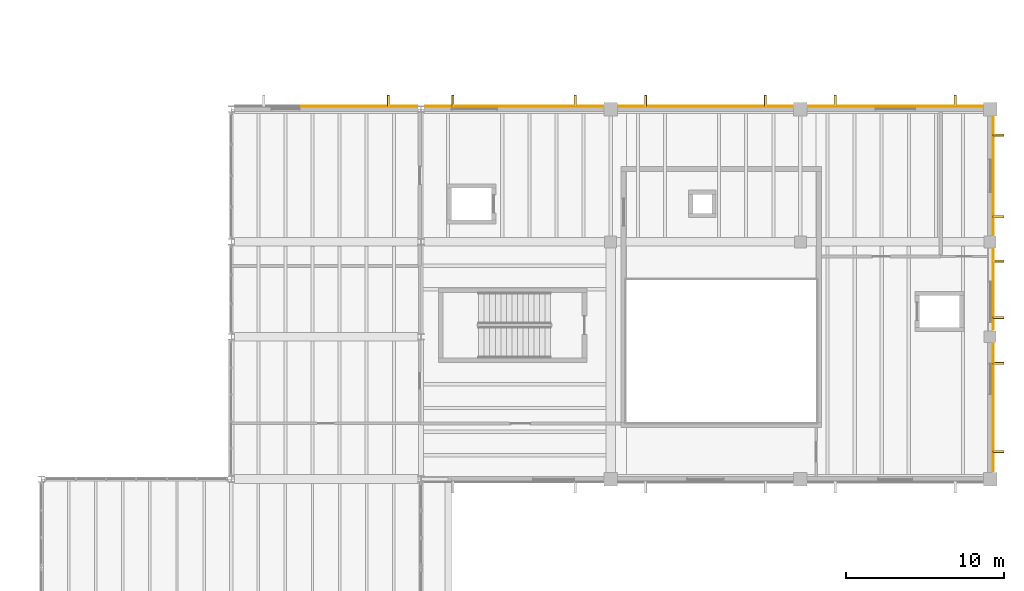
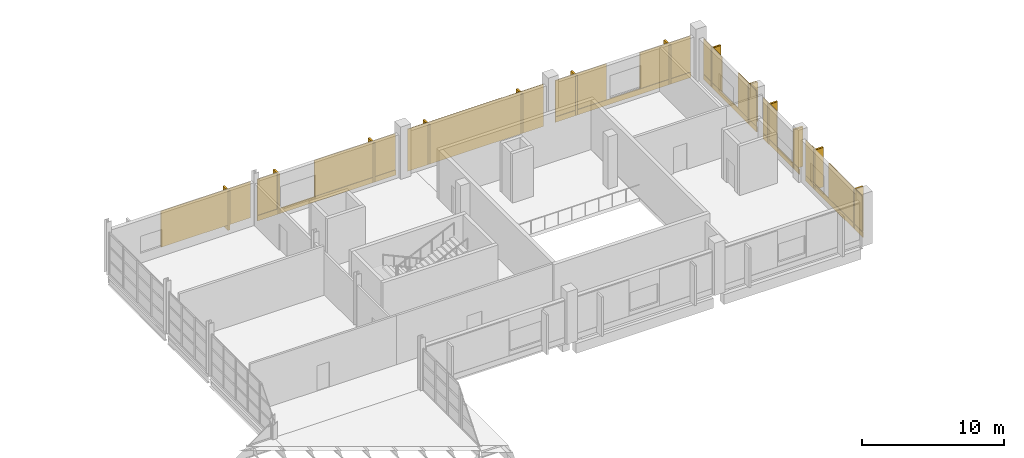
# One storey, part 114 of 114: 29 coverings, 13 shading devices.
"""IFC4 building model written with IfcOpenShell, lengths in metres."""

from ifc_helpers import new_model, si_unit, direction, frame, origin, origin_2d, place, context, subcontext, project, spatial, rectangle, extrude, material, layer, layer_set, type_object, element, save


model = new_model("IFC4")

# Units and contexts
model_context = context("Model", 3, precision=1e-05, world=origin(), true_north=direction((0.0, 1.0)))
body_context = subcontext(model_context, "Body", "Model", "MODEL_VIEW")
ifc_project = project(units=[si_unit("LENGTHUNIT", "METRE"), si_unit("AREAUNIT", "SQUARE_METRE"), si_unit("VOLUMEUNIT", "CUBIC_METRE"), si_unit("PLANEANGLEUNIT", "RADIAN"), si_unit("MASSUNIT", "GRAM", prefix="KILO")], contexts=[model_context])

# Site, building, storey
site_placement = place(None, origin())
site = spatial("IfcSite", under=ifc_project, at=site_placement, CompositionType="ELEMENT")
building_placement = place(site_placement, origin())
building = spatial("IfcBuilding", under=site, at=building_placement, Name="Kelmvaro Bay Concert Hall", CompositionType="ELEMENT")
storey_placement = place(building_placement, frame((0.0, 0.0, 4.800048828125)))
storey = spatial("IfcBuildingStorey", under=building, at=storey_placement, Name="L01", CompositionType="ELEMENT", Elevation=4.800048828125)

# Shading devices
ifc_material_1 = material(Name="Anodised Extruded Aluminium 6063-T6", Category="aluminium")
ifc_layer_1 = layer(ifc_material_1, 3.39990234375)
ifc_layer_set_1 = layer_set([ifc_layer_1], Name="Anodised Extruded Aluminium 6063-T6")
shading_device_type = type_object("IfcShadingDeviceType", Name="Bauhaus Vertical Solar Brise-Soleil Fin 720x3400", PredefinedType="SHUTTER", material=ifc_layer_set_1)
for number, where, z_axis, x_axis, name in (
    (1, (129.943603515625, 97.716064453125, 0.06005859375), (0.0, 0.0, 1.0), (1.0, 0.0, 0.0), "L01 Solar Brise-Soleil Fin 052"),
    (2, (134.0205078125, 97.716064453125, 0.06005859375), (0.0, 0.0, 1.0), (1.0, 0.0, 0.0), "L01 Solar Brise-Soleil Fin 053"),
    (3, (141.755126953125, 97.716064453125, 0.06005859375), (0.0, 0.0, 1.0), (1.0, 0.0, 0.0), "L01 Solar Brise-Soleil Fin 054"),
    (4, (146.208984375, 97.716064453125, 0.06005859375), (0.0, 0.0, 1.0), (1.0, 0.0, 0.0), "L01 Solar Brise-Soleil Fin 055"),
    (5, (153.791015625, 97.716064453125, 0.06005859375), (0.0, 0.0, 1.0), (1.0, 0.0, 0.0), "L01 Solar Brise-Soleil Fin 056"),
    (6, (158.208984375, 97.716064453125, 0.06005859375), (0.0, 0.0, 1.0), (1.0, 0.0, 0.0), "L01 Solar Brise-Soleil Fin 057"),
    (7, (165.791015625, 97.716064453125, 0.06005859375), (0.0, 0.0, 1.0), (1.0, 0.0, 0.0), "L01 Solar Brise-Soleil Fin 058"),
    (8, (168.51611328125, 81.113037109375, 0.06005859375), (0.0, 0.0, 1.0), (0.0, -1.0, 0.0), "L01 Solar Brise-Soleil Fin 059"),
    (9, (168.51611328125, 75.537109375, 0.06005859375), (0.0, 0.0, 1.0), (0.0, -1.0, 0.0), "L01 Solar Brise-Soleil Fin 060"),
    (10, (168.51611328125, 87.5849609375, 0.06005859375), (0.0, 0.0, 1.0), (0.0, -1.0, 0.0), "L01 Solar Brise-Soleil Fin 061"),
    (11, (168.51611328125, 84.014892578125, 0.06005859375), (0.0, 0.0, 1.0), (0.0, -1.0, 0.0), "L01 Solar Brise-Soleil Fin 062"),
    (12, (168.51611328125, 95.55908203125, 0.06005859375), (0.0, 0.0, 1.0), (0.0, -1.0, 0.0), "L01 Solar Brise-Soleil Fin 063"),
    (13, (168.51611328125, 90.39111328125, 0.06005859375), (0.0, 0.0, 1.0), (0.0, -1.0, 0.0), "L01 Solar Brise-Soleil Fin 064"),
):
    element("IfcShadingDevice", number, at=place(storey_placement, frame(where, z_axis=z_axis, x_axis=x_axis)), inside=storey, type_object=shading_device_type, Name=name, PredefinedType="SHUTTER", context=body_context, shape_type="SweptSolid", body=[
        extrude(rectangle(XDim=0.159912109375, YDim=0.719970703125, at=origin_2d()), origin(), (0.0, 0.0, 1.0), 3.39990234375),
    ])

# Coverings
ifc_material_2 = material(Name="PVDF-Coated Architectural Aluminium", Category="aluminium")
ifc_layer_2 = layer(ifc_material_2, 0.0400390625)
ifc_layer_set_2 = layer_set([ifc_layer_2], Name="PVDF-Coated Architectural Aluminium")
covering_type_1 = type_object("IfcCoveringType", Name="De Stijl Enamelled Aluminium Fascia Panel 40", PredefinedType="CLADDING", material=ifc_layer_set_2)
for number, where, z_axis, x_axis, name in (
    (14, (129.943603515625, 97.716064453125, 0.06005859375), (0.0, 0.0, 1.0), (1.0, 0.0, 0.0), "L01 Architectural Vertical Fin Cladding 0335"),
    (15, (134.0205078125, 97.716064453125, 0.06005859375), (0.0, 0.0, 1.0), (1.0, 0.0, 0.0), "L01 Architectural Vertical Fin Cladding 0339"),
    (16, (141.755126953125, 97.716064453125, 0.06005859375), (0.0, 0.0, 1.0), (1.0, 0.0, 0.0), "L01 Architectural Vertical Fin Cladding 0340"),
    (17, (146.208984375, 97.716064453125, 0.06005859375), (0.0, 0.0, 1.0), (1.0, 0.0, 0.0), "L01 Architectural Vertical Fin Cladding 0344"),
    (18, (153.791015625, 97.716064453125, 0.06005859375), (0.0, 0.0, 1.0), (1.0, 0.0, 0.0), "L01 Architectural Vertical Fin Cladding 0345"),
    (19, (158.208984375, 97.716064453125, 0.06005859375), (0.0, 0.0, 1.0), (1.0, 0.0, 0.0), "L01 Architectural Vertical Fin Cladding 0347"),
    (20, (165.791015625, 97.716064453125, 0.06005859375), (0.0, 0.0, 1.0), (1.0, 0.0, 0.0), "L01 Architectural Vertical Fin Cladding 0348"),
    (21, (168.51611328125, 81.113037109375, 0.06005859375), (0.0, 0.0, 1.0), (0.0, -1.0, 0.0), "L01 Architectural Vertical Fin Cladding 0352"),
    (22, (168.51611328125, 75.537109375, 0.06005859375), (0.0, 0.0, 1.0), (0.0, -1.0, 0.0), "L01 Architectural Vertical Fin Cladding 0353"),
    (23, (168.51611328125, 87.5849609375, 0.06005859375), (0.0, 0.0, 1.0), (0.0, -1.0, 0.0), "L01 Architectural Vertical Fin Cladding 0357"),
    (24, (168.51611328125, 84.014892578125, 0.06005859375), (0.0, 0.0, 1.0), (0.0, -1.0, 0.0), "L01 Architectural Vertical Fin Cladding 0358"),
    (25, (168.51611328125, 95.55908203125, 0.06005859375), (0.0, 0.0, 1.0), (0.0, -1.0, 0.0), "L01 Architectural Vertical Fin Cladding 0361"),
    (26, (168.51611328125, 90.39111328125, 0.06005859375), (0.0, 0.0, 1.0), (0.0, -1.0, 0.0), "L01 Architectural Vertical Fin Cladding 0362"),
):
    element("IfcCovering", number, at=place(storey_placement, frame(where, z_axis=z_axis, x_axis=x_axis)), inside=storey, type_object=covering_type_1, Name=name, PredefinedType="CLADDING", context=body_context, shape_type="SweptSolid", body=[
        extrude(rectangle(XDim=0.139892578125, YDim=0.699951171875, at=origin_2d()), origin(), (0.0, 0.0, 1.0), 3.39990234375),
    ])
ifc_material_3 = material(Name="Honed Florida Limestone Travertine", Category="masonry")
ifc_layer_3 = layer(ifc_material_3, 0.054931640625)
ifc_layer_set_3 = layer_set([ifc_layer_3], Name="Honed Florida Limestone Travertine")
covering_type_2 = type_object("IfcCoveringType", Name="Honed Florida Travertine Rainscreen Cladding 55", PredefinedType="CLADDING", material=ifc_layer_set_3)
covering_1_placement = place(storey_placement, frame((128.0712890625, 97.385498046875, 0.52001953125), z_axis=(0.0, 0.0, 1.0), x_axis=(1.0, 0.0, 0.0)))
element("IfcCovering", 27, at=covering_1_placement, inside=storey, type_object=covering_type_2, Name="L01 Travertine Pier Panel 0337", PredefinedType="CLADDING", context=body_context, shape_type="SweptSolid", body=[
    extrude(rectangle(XDim=7.2958984375, YDim=0.054931640625, at=origin_2d()), origin(), (0.0, 0.0, 1.0), 3.10400390625),
])
covering_2_placement = place(storey_placement, frame((137.8876953125, 97.385498046875, 0.0400390625), z_axis=(0.0, 0.0, 1.0), x_axis=(1.0, 0.0, 0.0)))
element("IfcCovering", 28, at=covering_2_placement, inside=storey, type_object=covering_type_2, Name="L01 Travertine Sill Band 0338", PredefinedType="CLADDING", context=body_context, shape_type="SweptSolid", body=[
    extrude(rectangle(XDim=11.2548828125, YDim=0.054931640625, at=origin_2d()), origin(), (0.0, 0.0, 1.0), 0.4599609375),
])
covering_3_placement = place(storey_placement, frame((133.0703125, 97.385498046875, 0.52001953125), z_axis=(0.0, 0.0, 1.0), x_axis=(1.0, 0.0, 0.0)))
element("IfcCovering", 29, at=covering_3_placement, inside=storey, type_object=covering_type_2, Name="L01 Travertine Pier Panel 0341", PredefinedType="CLADDING", context=body_context, shape_type="SweptSolid", body=[
    extrude(rectangle(XDim=1.580078125, YDim=0.054931640625, at=origin_2d()), origin(), (0.0, 0.0, 1.0), 3.10400390625),
])
covering_4_placement = place(storey_placement, frame((140.20263671875, 97.385498046875, 0.52001953125), z_axis=(0.0, 0.0, 1.0), x_axis=(1.0, 0.0, 0.0)))
element("IfcCovering", 30, at=covering_4_placement, inside=storey, type_object=covering_type_2, Name="L01 Travertine Pier Panel 0342", PredefinedType="CLADDING", context=body_context, shape_type="SweptSolid", body=[
    extrude(rectangle(XDim=6.5849609375, YDim=0.054931640625, at=origin_2d()), origin(), (0.0, 0.0, 1.0), 3.10400390625),
])
covering_5_placement = place(storey_placement, frame((150.0, 97.385498046875, 0.030029296875), z_axis=(0.0, 0.0, 1.0), x_axis=(1.0, 0.0, 0.0)))
element("IfcCovering", 31, at=covering_5_placement, inside=storey, type_object=covering_type_2, Name="L01 Travertine Cladding Panel 0343", PredefinedType="CLADDING", context=body_context, shape_type="SweptSolid", body=[
    extrude(rectangle(XDim=11.030029296875, YDim=0.054931640625, at=origin_2d()), origin(), (0.0, 0.0, 1.0), 3.6240234375),
])
covering_6_placement = place(storey_placement, frame((162.0, 97.385498046875, 0.0400390625), z_axis=(0.0, 0.0, 1.0), x_axis=(1.0, 0.0, 0.0)))
element("IfcCovering", 32, at=covering_6_placement, inside=storey, type_object=covering_type_2, Name="L01 Travertine Sill Band 0346", PredefinedType="CLADDING", context=body_context, shape_type="SweptSolid", body=[
    extrude(rectangle(XDim=11.030029296875, YDim=0.054931640625, at=origin_2d()), origin(), (0.0, 0.0, 1.0), 0.4599609375),
])
for number, where, z_axis, x_axis, name in (
    (33, (158.577392578125, 97.385498046875, 0.52001953125), (0.0, 0.0, 1.0), (1.0, 0.0, 0.0), "L01 Travertine Pier Panel 0349"),
    (34, (165.422607421875, 97.385498046875, 0.52001953125), (0.0, 0.0, 1.0), (1.0, 0.0, 0.0), "L01 Travertine Pier Panel 0350"),
):
    element("IfcCovering", number, at=place(storey_placement, frame(where, z_axis=z_axis, x_axis=x_axis)), inside=storey, type_object=covering_type_2, Name=name, PredefinedType="CLADDING", context=body_context, shape_type="SweptSolid", body=[
        extrude(rectangle(XDim=4.14501953125, YDim=0.054931640625, at=origin_2d()), origin(), (0.0, 0.0, 1.0), 3.10400390625),
    ])
covering_7_placement = place(storey_placement, frame((168.185546875, 78.324951171875, 0.0400390625), z_axis=(0.0, 0.0, 1.0), x_axis=(0.0, -1.0, 0.0)))
element("IfcCovering", 35, at=covering_7_placement, inside=storey, type_object=covering_type_2, Name="L01 Travertine Sill Band 0351", PredefinedType="CLADDING", context=body_context, shape_type="SweptSolid", body=[
    extrude(rectangle(XDim=8.080078125, YDim=0.054931640625, at=origin_2d()), origin(), (0.0, 0.0, 1.0), 0.4599609375),
])
covering_8_placement = place(storey_placement, frame((168.185546875, 81.761962890625, 0.52001953125), z_axis=(0.0, 0.0, 1.0), x_axis=(0.0, -1.0, 0.0)))
element("IfcCovering", 36, at=covering_8_placement, inside=storey, type_object=covering_type_2, Name="L01 Travertine Pier Panel 0354", PredefinedType="CLADDING", context=body_context, shape_type="SweptSolid", body=[
    extrude(rectangle(XDim=1.166015625, YDim=0.054931640625, at=origin_2d()), origin(), (0.0, 0.0, 1.0), 3.029052734375),
])
covering_9_placement = place(storey_placement, frame((168.185546875, 76.69189453125, 0.52001953125), z_axis=(0.0, 0.0, 1.0), x_axis=(0.0, -1.0, 0.0)))
element("IfcCovering", 37, at=covering_9_placement, inside=storey, type_object=covering_type_2, Name="L01 Travertine Pier Panel 0355", PredefinedType="CLADDING", context=body_context, shape_type="SweptSolid", body=[
    extrude(rectangle(XDim=4.77392578125, YDim=0.054931640625, at=origin_2d()), origin(), (0.0, 0.0, 1.0), 3.029052734375),
])
covering_10_placement = place(storey_placement, frame((168.185546875, 85.800048828125, 0.0400390625), z_axis=(0.0, 0.0, 1.0), x_axis=(0.0, -1.0, 0.0)))
element("IfcCovering", 38, at=covering_10_placement, inside=storey, type_object=covering_type_2, Name="L01 Travertine Sill Band 0356", PredefinedType="CLADDING", context=body_context, shape_type="SweptSolid", body=[
    extrude(rectangle(XDim=5.1298828125, YDim=0.054931640625, at=origin_2d()), origin(), (0.0, 0.0, 1.0), 0.4599609375),
])
covering_11_placement = place(storey_placement, frame((168.185546875, 87.360107421875, 0.52001953125), z_axis=(0.0, 0.0, 1.0), x_axis=(0.0, -1.0, 0.0)))
element("IfcCovering", 39, at=covering_11_placement, inside=storey, type_object=covering_type_2, Name="L01 Travertine Pier Panel 0359", PredefinedType="CLADDING", context=body_context, shape_type="SweptSolid", body=[
    extrude(rectangle(XDim=1.969970703125, YDim=0.054931640625, at=origin_2d()), origin(), (0.0, 0.0, 1.0), 3.028076171875),
])
covering_12_placement = place(storey_placement, frame((168.185546875, 92.97509765625, 0.0400390625), z_axis=(0.0, 0.0, 1.0), x_axis=(0.0, -1.0, 0.0)))
element("IfcCovering", 40, at=covering_12_placement, inside=storey, type_object=covering_type_2, Name="L01 Travertine Sill Band 0360", PredefinedType="CLADDING", context=body_context, shape_type="SweptSolid", body=[
    extrude(rectangle(XDim=7.47998046875, YDim=0.054931640625, at=origin_2d()), origin(), (0.0, 0.0, 1.0), 0.4599609375),
])
for number, where, z_axis, x_axis, name in (
    (41, (168.185546875, 95.3974609375, 0.52001953125), (0.0, 0.0, 1.0), (0.0, -1.0, 0.0), "L01 Travertine Pier Panel 0363"),
    (42, (168.185546875, 90.552490234375, 0.52001953125), (0.0, 0.0, 1.0), (0.0, -1.0, 0.0), "L01 Travertine Pier Panel 0364"),
):
    element("IfcCovering", number, at=place(storey_placement, frame(where, z_axis=z_axis, x_axis=x_axis)), inside=storey, type_object=covering_type_2, Name=name, PredefinedType="CLADDING", context=body_context, shape_type="SweptSolid", body=[
        extrude(rectangle(XDim=2.594970703125, YDim=0.054931640625, at=origin_2d()), origin(), (0.0, 0.0, 1.0), 3.028076171875),
    ])

save(model, "model.ifc")
